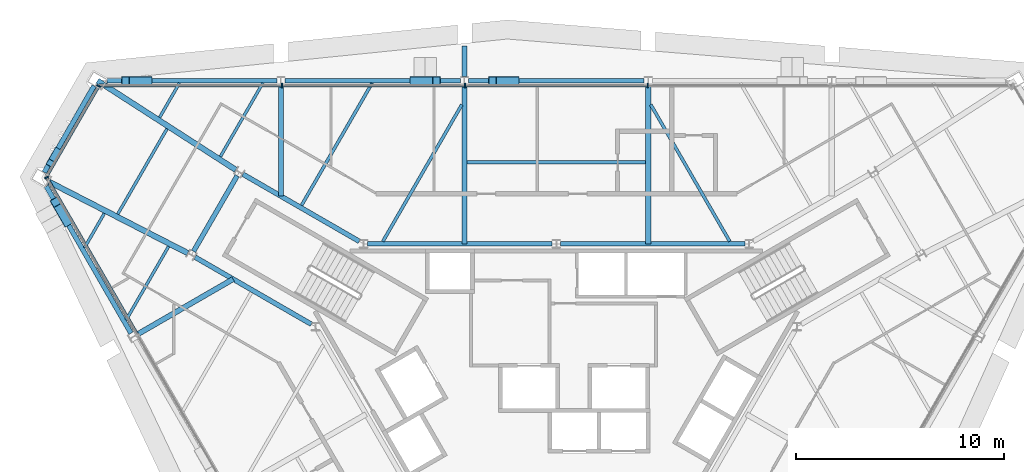
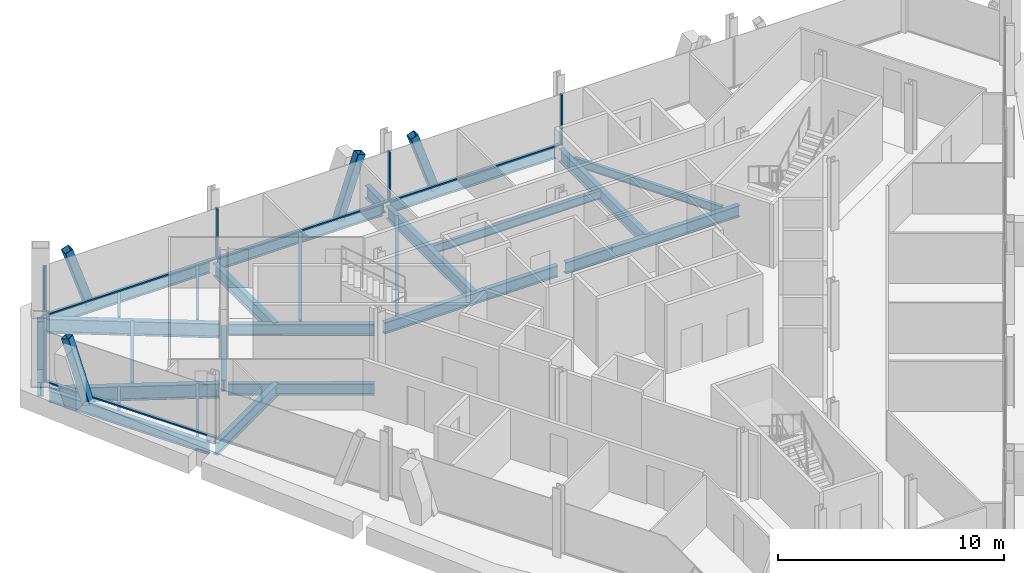
# One storey, part 6 of 14: 26 beams, 15 members, 3 elements without a shape of their own.
"""IFC4 building model written with IfcOpenShell, lengths in metres."""

from ifc_helpers import new_model, si_unit, direction, frame, origin, origin_2d, place, context, subcontext, project, spatial, rectangle, hollow_rectangle, i_section, extrude, material, material_profile, profile_set, type_object, element, aggregate, save


model = new_model("IFC4")

# Units and contexts
model_context = context("Model", 3, precision=1e-05, world=origin(), true_north=direction((0.0, 1.0)))
body_context = subcontext(model_context, "Body", "Model", "MODEL_VIEW")
ifc_project = project(units=[si_unit("LENGTHUNIT", "METRE"), si_unit("AREAUNIT", "SQUARE_METRE"), si_unit("VOLUMEUNIT", "CUBIC_METRE"), si_unit("PLANEANGLEUNIT", "RADIAN"), si_unit("MASSUNIT", "GRAM", prefix="KILO")], contexts=[model_context])

# Site, building, storey
site_placement = place(None, origin())
site = spatial("IfcSite", under=ifc_project, at=site_placement, CompositionType="ELEMENT")
building_placement = place(site_placement, origin())
building = spatial("IfcBuilding", under=site, at=building_placement, Name="Verrane Prism Tower", CompositionType="ELEMENT")
storey_placement = place(building_placement, frame((0.0, 0.0, 224.89990234375)))
storey = spatial("IfcBuildingStorey", under=building, at=storey_placement, Name="L56", CompositionType="ELEMENT", Elevation=224.89990234375)

# Member
ifc_material_1 = material(Name="Steel A500 Grade C", Category="steel")
ifc_material_profile_1 = material_profile(ifc_material_1, hollow_rectangle(XDim=0.3046875, YDim=0.3046875, WallThickness=0.0126953125, InnerFilletRadius=0.00634765625, OuterFilletRadius=0.01904296875, at=origin_2d()), Name="HSS12x12x1/2")
ifc_profile_set_1 = profile_set([ifc_material_profile_1], Name="Steel A500 Grade C")
member_type_1 = type_object("IfcMemberType", Name="Chamfer brace HSS12x12x1/2", PredefinedType="BRACE", material=ifc_profile_set_1)
member_1_placement = place(storey_placement, frame((-23.982177734375, 12.44091796875, -0.242431640625), z_axis=(-0.101664317764, -0.176489870854, 0.979038146335), x_axis=(0.866518541791, -0.499144885511, 0.0)))
element("IfcMember", 1, at=member_1_placement, inside=storey, type_object=member_type_1, Name="Chamfer brace NW0 L56", PredefinedType="BRACE", context=body_context, shape_type="SweptSolid", body=[
    extrude(hollow_rectangle(XDim=0.3046875, YDim=0.3046875, WallThickness=0.0126953125, InnerFilletRadius=0.00634765625, OuterFilletRadius=0.01904296875, at=origin_2d()), origin(), (0.0, 0.0, 1.0), 3.1748046875),
])

# Beams
ifc_material_2 = material(Name="Steel A992", Category="steel")
ifc_material_profile_2 = material_profile(ifc_material_2, i_section(OverallWidth=0.2666015625, OverallDepth=0.7568359375, WebThickness=0.013916015625, FlangeThickness=0.019287109375, FilletRadius=0.0166015625, at=origin_2d()), Name="W30x108")
ifc_profile_set_2 = profile_set([ifc_material_profile_2], Name="Steel A992")
beam_type_1 = type_object("IfcBeamType", Name="Chamfer spandrel beam W30x108", PredefinedType="SPANDREL", material=ifc_profile_set_2)
beam_1_placement = place(storey_placement, frame((-22.1796875, 15.570068359375, -0.538330078125), z_axis=(-0.499144251771, -0.866518906848, 0.0), x_axis=(0.866518906848, -0.499144251771, 0.0)))
element("IfcBeam", 2, at=beam_1_placement, inside=storey, type_object=beam_type_1, Name="Chamfer spandrel beam L56", PredefinedType="SPANDREL", context=body_context, shape_type="SweptSolid", body=[
    extrude(i_section(OverallWidth=0.2666015625, OverallDepth=0.7568359375, WebThickness=0.013916015625, FlangeThickness=0.019287109375, FilletRadius=0.0166015625, at=origin_2d()), origin(), (0.0, 0.0, 1.0), 4.78955078125),
])
ifc_material_3 = material(Name="Steel A992", Category="steel")
ifc_material_profile_3 = material_profile(ifc_material_3, i_section(OverallWidth=0.23046875, OverallDepth=0.6171875, WebThickness=0.01318359375, FlangeThickness=0.022216796875, FilletRadius=0.012939453125, at=origin_2d()), Name="W24x94")
ifc_profile_set_3 = profile_set([ifc_material_profile_3], Name="Steel A992")
beam_type_2 = type_object("IfcBeamType", Name="Core ring girder W24x94", PredefinedType="BEAM", material=ifc_profile_set_3)
for number, where, z_axis, x_axis, name in (
    (3, (9.060546875, 8.0, -0.55859375), (-1.0, 0.0, 0.0), (0.0, -1.0, 0.0), "Core ring girder L56"),
    (4, (-0.199462890625, 8.0, -0.55859375), (-1.0, 0.0, 0.0), (0.0, -1.0, 0.0), "Core ring girder L56"),
):
    element("IfcBeam", number, at=place(storey_placement, frame(where, z_axis=z_axis, x_axis=x_axis)), inside=storey, type_object=beam_type_2, Name=name, PredefinedType="BEAM", context=body_context, shape_type="SweptSolid", body=[
        extrude(i_section(OverallWidth=0.23046875, OverallDepth=0.6171875, WebThickness=0.01318359375, FlangeThickness=0.022216796875, FilletRadius=0.012939453125, at=origin_2d()), origin(), (0.0, 0.0, 1.0), 8.861083984375),
    ])
beam_2_placement = place(storey_placement, frame((-9.45947265625, 8.114990234375, -0.55859375), z_axis=(-0.866080992722, 0.499903704773, 0.0), x_axis=(-0.499903704773, -0.866080992722, 0.0)))
element("IfcBeam", 5, at=beam_2_placement, inside=storey, type_object=beam_type_2, Name="Core ring girder L56", PredefinedType="BEAM", context=body_context, shape_type="SweptSolid", body=[
    extrude(i_section(OverallWidth=0.23046875, OverallDepth=0.6171875, WebThickness=0.01318359375, FlangeThickness=0.022216796875, FilletRadius=0.012939453125, at=origin_2d()), origin(), (0.0, 0.0, 1.0), 6.451904296875),
])
beam_3_placement = place(storey_placement, frame((-15.3203125, 11.266357421875, -0.55859375), z_axis=(-0.500375511519, -0.865808493532, 0.0), x_axis=(0.865808493532, -0.500375511519, 0.0)))
element("IfcBeam", 6, at=beam_3_placement, inside=storey, type_object=beam_type_2, Name="Core ring girder L56", PredefinedType="BEAM", context=body_context, shape_type="SweptSolid", body=[
    extrude(i_section(OverallWidth=0.23046875, OverallDepth=0.6171875, WebThickness=0.01318359375, FlangeThickness=0.022216796875, FilletRadius=0.012939453125, at=origin_2d()), origin(), (0.0, 0.0, 1.0), 4.195556640625),
])
beam_4_placement = place(storey_placement, frame((-17.347412109375, 7.3603515625, -0.55859375), z_axis=(0.866080992722, -0.499903704773, 0.0), x_axis=(0.499903704773, 0.866080992722, 0.0)))
element("IfcBeam", 7, at=beam_4_placement, inside=storey, type_object=beam_type_2, Name="Core ring girder L56", PredefinedType="BEAM", context=body_context, shape_type="SweptSolid", body=[
    extrude(i_section(OverallWidth=0.23046875, OverallDepth=0.6171875, WebThickness=0.01318359375, FlangeThickness=0.022216796875, FilletRadius=0.012939453125, at=origin_2d()), origin(), (0.0, 0.0, 1.0), 6.451904296875),
])
ifc_material_4 = material(Name="Steel A992", Category="steel")
ifc_material_profile_4 = material_profile(ifc_material_4, i_section(OverallWidth=0.2666015625, OverallDepth=0.76708984375, WebThickness=0.014892578125, FlangeThickness=0.023681640625, FilletRadius=0.0166015625, at=origin_2d()), Name="W30x124")
ifc_profile_set_4 = profile_set([ifc_material_profile_4], Name="Steel A992")
beam_type_3 = type_object("IfcBeamType", Name="Corner girder W30x124", PredefinedType="BEAM", material=ifc_profile_set_4)
beam_5_placement = place(storey_placement, frame((-22.02880859375, 15.8291015625, -0.603515625), z_axis=(0.840503183153, -0.541806606742, 0.0), x_axis=(0.541806606742, 0.840503183153, 0.0)))
element("IfcBeam", 8, at=beam_5_placement, inside=storey, type_object=beam_type_3, Name="Corner girder L56", PredefinedType="BEAM", context=body_context, shape_type="SweptSolid", body=[
    extrude(i_section(OverallWidth=0.2666015625, OverallDepth=0.76708984375, WebThickness=0.014892578125, FlangeThickness=0.023681640625, FilletRadius=0.0166015625, at=origin_2d()), origin(), (0.0, 0.0, 1.0), 7.9013671875),
])
beam_6_placement = place(storey_placement, frame((-24.36376953125, 10.97705078125, -0.603515625), z_axis=(0.889427813273, -0.457075666576, 0.0), x_axis=(0.457075666576, 0.889427813273, 0.0)))
element("IfcBeam", 9, at=beam_6_placement, inside=storey, type_object=beam_type_3, Name="Corner girder L56", PredefinedType="BEAM", context=body_context, shape_type="SweptSolid", body=[
    extrude(i_section(OverallWidth=0.2666015625, OverallDepth=0.76708984375, WebThickness=0.014892578125, FlangeThickness=0.023681640625, FilletRadius=0.0166015625, at=origin_2d()), origin(), (0.0, 0.0, 1.0), 7.4951171875),
])

# Members
ifc_material_5 = material(Name="Steel A500 Grade C", Category="steel")
ifc_material_profile_5 = material_profile(ifc_material_5, hollow_rectangle(XDim=0.406494140625, YDim=0.406494140625, WallThickness=0.01904296875, InnerFilletRadius=0.009521484375, OuterFilletRadius=0.028564453125, at=origin_2d()), Name="HSS16x16x3/4")
ifc_profile_set_5 = profile_set([ifc_material_profile_5], Name="Steel A500 Grade C")
member_type_2 = type_object("IfcMemberType", Name="Facade brace HSS16x16x3/4", PredefinedType="BRACE", material=ifc_profile_set_5)
member_2_placement = place(storey_placement, frame((-1.975830078125, 15.830078125, -0.216552734375), z_axis=(-0.322360307942, 0.0, 0.946617046045), x_axis=(0.0, -1.0, 0.0)))
element("IfcMember", 10, at=member_2_placement, inside=storey, type_object=member_type_2, Name="Facade brace N2 L56", PredefinedType="BRACE", context=body_context, shape_type="SweptSolid", body=[
    extrude(hollow_rectangle(XDim=0.406494140625, YDim=0.406494140625, WallThickness=0.01904296875, InnerFilletRadius=0.009521484375, OuterFilletRadius=0.028564453125, at=origin_2d()), origin(), (0.0, 0.0, 1.0), 3.376220703125),
])
for number, where, z_axis, x_axis, name in (
    (11, (-6.841552734375, 15.830078125, -0.216552734375), (0.322036269863, 0.0, 0.946727331861), (0.0, 1.0, 0.0), "Facade brace N3 L56"),
    (12, (-19.598388671875, 15.830078125, -0.216552734375), (-0.322101086538, 0.0, 0.946705281516), (0.0, -1.0, 0.0), "Facade brace N4 L56"),
):
    element("IfcMember", number, at=place(storey_placement, frame(where, z_axis=z_axis, x_axis=x_axis)), inside=storey, type_object=member_type_2, Name=name, PredefinedType="BRACE", context=body_context, shape_type="SweptSolid", body=[
        extrude(hollow_rectangle(XDim=0.406494140625, YDim=0.406494140625, WallThickness=0.01904296875, InnerFilletRadius=0.009521484375, OuterFilletRadius=0.028564453125, at=origin_2d()), origin(), (0.0, 0.0, 1.0), 3.3759765625),
    ])
member_3_placement = place(storey_placement, frame((-23.505615234375, 9.05419921875, -0.216552734375), z_axis=(-0.160840106814, 0.278938980208, 0.946743632332), x_axis=(-0.866301479864, -0.499521517039, 0.0)))
element("IfcMember", 13, at=member_3_placement, inside=storey, type_object=member_type_2, Name="Facade brace SW0 L56", PredefinedType="BRACE", context=body_context, shape_type="SweptSolid", body=[
    extrude(hollow_rectangle(XDim=0.406494140625, YDim=0.406494140625, WallThickness=0.01904296875, InnerFilletRadius=0.009521484375, OuterFilletRadius=0.028564453125, at=origin_2d()), origin(), (0.0, 0.0, 1.0), 3.375732421875),
])

# Beams
ifc_material_6 = material(Name="Steel A992", Category="steel")
ifc_material_profile_6 = material_profile(ifc_material_6, i_section(OverallWidth=0.140380859375, OverallDepth=0.40380859375, WebThickness=0.007080078125, FlangeThickness=0.01123046875, FilletRadius=0.01025390625, at=origin_2d()), Name="W16x31")
ifc_profile_set_6 = profile_set([ifc_material_profile_6], Name="Steel A992")
beam_type_4 = type_object("IfcBeamType", Name="Floor beam W16x31", PredefinedType="BEAM", material=ifc_profile_set_6)
beam_7_placement = place(storey_placement, frame((-16.12890625, 12.184814453125, -0.36181640625), z_axis=(0.499978218965, 0.866037978706, 0.0), x_axis=(-0.866037978706, 0.499978218965, 0.0)))
element("IfcBeam", 14, at=beam_7_placement, inside=storey, type_object=beam_type_4, Name="Floor beam L56", PredefinedType="BEAM", context=body_context, shape_type="SweptSolid", body=[
    extrude(i_section(OverallWidth=0.140380859375, OverallDepth=0.40380859375, WebThickness=0.007080078125, FlangeThickness=0.01123046875, FilletRadius=0.01025390625, at=origin_2d()), origin(), (0.0, 0.0, 1.0), 4.076416015625),
])
beam_8_placement = place(storey_placement, frame((-19.0458984375, 14.065185546875, -0.36181640625), z_axis=(0.499929534118, 0.866066083458, 0.0), x_axis=(-0.866066083458, 0.499929534118, 0.0)))
element("IfcBeam", 15, at=beam_8_placement, inside=storey, type_object=beam_type_4, Name="Floor beam L56", PredefinedType="BEAM", context=body_context, shape_type="SweptSolid", body=[
    extrude(i_section(OverallWidth=0.140380859375, OverallDepth=0.40380859375, WebThickness=0.007080078125, FlangeThickness=0.01123046875, FilletRadius=0.01025390625, at=origin_2d()), origin(), (0.0, 0.0, 1.0), 1.905029296875),
])
beam_9_placement = place(storey_placement, frame((-20.654052734375, 4.33935546875, -0.36181640625), z_axis=(0.500007372378, 0.866021147298, 0.0), x_axis=(-0.866021147298, 0.500007372378, 0.0)))
element("IfcBeam", 16, at=beam_9_placement, inside=storey, type_object=beam_type_4, Name="Floor beam L56", PredefinedType="BEAM", context=body_context, shape_type="SweptSolid", body=[
    extrude(i_section(OverallWidth=0.140380859375, OverallDepth=0.40380859375, WebThickness=0.007080078125, FlangeThickness=0.01123046875, FilletRadius=0.01025390625, at=origin_2d()), origin(), (0.0, 0.0, 1.0), 4.07958984375),
])
beam_10_placement = place(storey_placement, frame((-22.65380859375, 7.80712890625, -0.36181640625), z_axis=(0.500036506332, 0.866004325818, 0.0), x_axis=(-0.866004325818, 0.500036506332, 0.0)))
element("IfcBeam", 17, at=beam_10_placement, inside=storey, type_object=beam_type_4, Name="Floor beam L56", PredefinedType="BEAM", context=body_context, shape_type="SweptSolid", body=[
    extrude(i_section(OverallWidth=0.140380859375, OverallDepth=0.40380859375, WebThickness=0.007080078125, FlangeThickness=0.01123046875, FilletRadius=0.01025390625, at=origin_2d()), origin(), (0.0, 0.0, 1.0), 1.906494140625),
])
beam_11_placement = place(storey_placement, frame((-21.0546875, 9.426513671875, -0.36181640625), z_axis=(0.499972881236, 0.866041060244, 0.0), x_axis=(-0.866041060244, 0.499972881236, 0.0)))
element("IfcBeam", 18, at=beam_11_placement, inside=storey, type_object=beam_type_4, Name="Floor beam L56", PredefinedType="BEAM", context=body_context, shape_type="SweptSolid", body=[
    extrude(i_section(OverallWidth=0.140380859375, OverallDepth=0.40380859375, WebThickness=0.007080078125, FlangeThickness=0.01123046875, FilletRadius=0.01025390625, at=origin_2d()), origin(), (0.0, 0.0, 1.0), 4.725830078125),
])
ifc_material_7 = material(Name="Steel A992", Category="steel")
ifc_material_profile_7 = material_profile(ifc_material_7, i_section(OverallWidth=0.15234375, OverallDepth=0.449462890625, WebThickness=0.007568359375, FlangeThickness=0.0107421875, FilletRadius=0.01025390625, at=origin_2d()), Name="W18x35")
ifc_profile_set_7 = profile_set([ifc_material_profile_7], Name="Steel A992")
beam_type_5 = type_object("IfcBeamType", Name="Floor beam W18x35", PredefinedType="BEAM", material=ifc_profile_set_7)
beam_12_placement = place(storey_placement, frame((8.3251953125, 8.114990234375, -0.384765625), z_axis=(-0.499979074716, 0.866037484666, 0.0), x_axis=(-0.866037484666, -0.499979074716, 0.0)))
element("IfcBeam", 19, at=beam_12_placement, inside=storey, type_object=beam_type_5, Name="Floor beam L56", PredefinedType="BEAM", context=body_context, shape_type="SweptSolid", body=[
    extrude(i_section(OverallWidth=0.15234375, OverallDepth=0.449462890625, WebThickness=0.007568359375, FlangeThickness=0.0107421875, FilletRadius=0.01025390625, at=origin_2d()), origin(), (0.0, 0.0, 1.0), 7.576416015625),
])
beam_13_placement = place(storey_placement, frame((-4.282958984375, 11.9150390625, -0.384765625), z_axis=(1.0, 0.0, 0.0), x_axis=(0.0, 1.0, 0.0)))
element("IfcBeam", 20, at=beam_13_placement, inside=storey, type_object=beam_type_5, Name="Floor beam L56", PredefinedType="BEAM", context=body_context, shape_type="SweptSolid", body=[
    extrude(i_section(OverallWidth=0.15234375, OverallDepth=0.449462890625, WebThickness=0.007568359375, FlangeThickness=0.0107421875, FilletRadius=0.01025390625, at=origin_2d()), origin(), (0.0, 0.0, 1.0), 8.56591796875),
])
beam_14_placement = place(storey_placement, frame((-8.3251953125, 8.114990234375, -0.384765625), z_axis=(0.499979074716, 0.866037484666, 0.0), x_axis=(-0.866037484666, 0.499979074716, 0.0)))
element("IfcBeam", 21, at=beam_14_placement, inside=storey, type_object=beam_type_5, Name="Floor beam L56", PredefinedType="BEAM", context=body_context, shape_type="SweptSolid", body=[
    extrude(i_section(OverallWidth=0.15234375, OverallDepth=0.449462890625, WebThickness=0.007568359375, FlangeThickness=0.0107421875, FilletRadius=0.01025390625, at=origin_2d()), origin(), (0.0, 0.0, 1.0), 7.576416015625),
])
beam_15_placement = place(storey_placement, frame((-12.22900390625, 9.849853515625, -0.384765625), z_axis=(0.499992893009, 0.866029506969, 0.0), x_axis=(-0.866029506969, 0.499992893009, 0.0)))
element("IfcBeam", 22, at=beam_15_placement, inside=storey, type_object=beam_type_5, Name="Floor beam L56", PredefinedType="BEAM", context=body_context, shape_type="SweptSolid", body=[
    extrude(i_section(OverallWidth=0.15234375, OverallDepth=0.449462890625, WebThickness=0.007568359375, FlangeThickness=0.0107421875, FilletRadius=0.01025390625, at=origin_2d()), origin(), (0.0, 0.0, 1.0), 6.7724609375),
])

# Curtain wall, members
ifc_material_8 = material(Name="Aluminium framed insulated glazing", Category="aluminium")
curtain_wall_type = type_object("IfcCurtainWallType", Name="Curtain wall CW-A 8400 module", PredefinedType="NOTDEFINED", material=ifc_material_8)
curtain_wall_1_placement = place(storey_placement, origin())
curtain_wall_1 = element("IfcCurtainWall", 23, at=curtain_wall_1_placement, inside=storey, type_object=curtain_wall_type, Name="Glazed curtain wall north face L56", PredefinedType="NOTDEFINED")
ifc_material_9 = material(Name="Aluminium alloy 6063-T6", Category="aluminium")
ifc_material_profile_8 = material_profile(ifc_material_9, rectangle(XDim=0.199951171875, YDim=0.070068359375, at=origin_2d()), Name="Mullion 70x200 aluminium")
ifc_profile_set_8 = profile_set([ifc_material_profile_8], Name="Aluminium alloy 6063-T6")
member_type_3 = type_object("IfcMemberType", Name="Mullion 70x200 aluminium", PredefinedType="MULLION", material=ifc_profile_set_8)
member_4_placement = place(storey_placement, frame((4.39111328125, 15.601806640625, 0.0), z_axis=(0.0, 0.0, 1.0), x_axis=(0.0, -1.0, 0.0)))
member_4 = element("IfcMember", 24, at=member_4_placement, type_object=member_type_3, Name="CW54.2 mullion 3", PredefinedType="MULLION", context=body_context, shape_type="SweptSolid", body=[
    extrude(rectangle(XDim=0.199951171875, YDim=0.070068359375, at=origin_2d()), origin(), (0.0, 0.0, 1.0), 2.712890625),
])
member_5_placement = place(storey_placement, frame((-4.39111328125, 15.601806640625, 0.0), z_axis=(0.0, 0.0, 1.0), x_axis=(0.0, -1.0, 0.0)))
member_5 = element("IfcMember", 25, at=member_5_placement, type_object=member_type_3, Name="CW54.2 mullion 4", PredefinedType="MULLION", context=body_context, shape_type="SweptSolid", body=[
    extrude(rectangle(XDim=0.199951171875, YDim=0.070068359375, at=origin_2d()), origin(), (0.0, 0.0, 1.0), 2.712890625),
])
member_6_placement = place(storey_placement, frame((-13.173095703125, 15.601806640625, 0.0), z_axis=(0.0, 0.0, 1.0), x_axis=(0.0, -1.0, 0.0)))
member_6 = element("IfcMember", 26, at=member_6_placement, type_object=member_type_3, Name="CW54.2 mullion 5", PredefinedType="MULLION", context=body_context, shape_type="SweptSolid", body=[
    extrude(rectangle(XDim=0.199951171875, YDim=0.070068359375, at=origin_2d()), origin(), (0.0, 0.0, 1.0), 2.712890625),
])

# Curtain wall, member
curtain_wall_2_placement = place(storey_placement, origin())
curtain_wall_2 = element("IfcCurtainWall", 27, at=curtain_wall_2_placement, inside=storey, type_object=curtain_wall_type, Name="Glazed curtain wall north-west corner L56", PredefinedType="NOTDEFINED")
member_7_placement = place(storey_placement, frame((-21.972900390625, 15.571533203125, 0.0), z_axis=(0.0, 0.0, 1.0), x_axis=(0.866028188915, -0.499995175981, 0.0)))
member_7 = element("IfcMember", 28, at=member_7_placement, type_object=member_type_3, Name="CW54.3 mullion 1", PredefinedType="MULLION", context=body_context, shape_type="SweptSolid", body=[
    extrude(rectangle(XDim=0.199951171875, YDim=0.070068359375, at=origin_2d()), origin(), (0.0, 0.0, 1.0), 2.712890625),
])

curtain_wall_3_placement = place(storey_placement, origin())
curtain_wall_3 = element("IfcCurtainWall", 29, at=curtain_wall_3_placement, inside=storey, type_object=curtain_wall_type, Name="Glazed curtain wall south-west face L56", PredefinedType="NOTDEFINED")
member_8_placement = place(storey_placement, frame((-24.4716796875, 11.1826171875, 0.0), z_axis=(0.0, 0.0, 1.0), x_axis=(0.866024862365, 0.500000937764, 0.0)))
member_8 = element("IfcMember", 30, at=member_8_placement, type_object=member_type_3, Name="CW54.4 mullion 1", PredefinedType="MULLION", context=body_context, shape_type="SweptSolid", body=[
    extrude(rectangle(XDim=0.199951171875, YDim=0.070068359375, at=origin_2d()), origin(), (0.0, 0.0, 1.0), 2.712890625),
])

# Beams
ifc_material_10 = material(Name="Steel A992", Category="steel")
ifc_material_profile_9 = material_profile(ifc_material_10, i_section(OverallWidth=0.25390625, OverallDepth=0.683349609375, WebThickness=0.012451171875, FlangeThickness=0.01904296875, FilletRadius=0.01513671875, at=origin_2d()), Name="W27x94")
ifc_profile_set_9 = profile_set([ifc_material_profile_9], Name="Steel A992")
beam_type_6 = type_object("IfcBeamType", Name="Radial girder W27x94", PredefinedType="BEAM", material=ifc_profile_set_9)
for number, where, z_axis, x_axis, name in (
    (31, (4.409912109375, 15.630615234375, -0.5615234375), (0.0, -1.0, 0.0), (1.0, 0.0, 0.0), "Radial girder L56"),
    (32, (-4.409912109375, 15.630615234375, -0.5615234375), (0.0, -1.0, 0.0), (1.0, 0.0, 0.0), "Radial girder L56"),
):
    element("IfcBeam", number, at=place(storey_placement, frame(where, z_axis=z_axis, x_axis=x_axis)), inside=storey, type_object=beam_type_6, Name=name, PredefinedType="BEAM", context=body_context, shape_type="SweptSolid", body=[
        extrude(i_section(OverallWidth=0.25390625, OverallDepth=0.683349609375, WebThickness=0.012451171875, FlangeThickness=0.01904296875, FilletRadius=0.01513671875, at=origin_2d()), origin(), (0.0, 0.0, 1.0), 7.630615234375),
    ])
beam_16_placement = place(storey_placement, frame((-13.219970703125, 15.630615234375, -0.5615234375), z_axis=(0.0, -1.0, 0.0), x_axis=(1.0, 0.0, 0.0)))
element("IfcBeam", 33, at=beam_16_placement, inside=storey, type_object=beam_type_6, Name="Radial girder L56", PredefinedType="BEAM", context=body_context, shape_type="SweptSolid", body=[
    extrude(i_section(OverallWidth=0.25390625, OverallDepth=0.683349609375, WebThickness=0.012451171875, FlangeThickness=0.01904296875, FilletRadius=0.01513671875, at=origin_2d()), origin(), (0.0, 0.0, 1.0), 5.344970703125),
])
beam_17_placement = place(storey_placement, frame((-20.147216796875, 3.629638671875, -0.5615234375), z_axis=(0.866020604947, 0.500008311739, 0.0), x_axis=(-0.500008311739, 0.866020604947, 0.0)))
element("IfcBeam", 34, at=beam_17_placement, inside=storey, type_object=beam_type_6, Name="Radial girder L56", PredefinedType="BEAM", context=body_context, shape_type="SweptSolid", body=[
    extrude(i_section(OverallWidth=0.25390625, OverallDepth=0.683349609375, WebThickness=0.012451171875, FlangeThickness=0.01904296875, FilletRadius=0.01513671875, at=origin_2d()), origin(), (0.0, 0.0, 1.0), 5.34765625),
])
beam_18_placement = place(storey_placement, frame((-4.409912109375, 16.025390625, -0.5615234375), z_axis=(0.0, 1.0, 0.0), x_axis=(-1.0, 0.0, 0.0)))
element("IfcBeam", 35, at=beam_18_placement, inside=storey, type_object=beam_type_6, Name="Cantilever girder L56", PredefinedType="BEAM", context=body_context, shape_type="SweptSolid", body=[
    extrude(i_section(OverallWidth=0.25390625, OverallDepth=0.683349609375, WebThickness=0.012451171875, FlangeThickness=0.01904296875, FilletRadius=0.01513671875, at=origin_2d()), origin(), (0.0, 0.0, 1.0), 1.4599609375),
])
ifc_material_11 = material(Name="Steel A992", Category="steel")
ifc_material_profile_10 = material_profile(ifc_material_11, i_section(OverallWidth=0.23046875, OverallDepth=0.6171875, WebThickness=0.01318359375, FlangeThickness=0.022216796875, FilletRadius=0.012939453125, at=origin_2d()), Name="W24x94")
ifc_profile_set_10 = profile_set([ifc_material_profile_10], Name="Steel A992")
beam_type_7 = type_object("IfcBeamType", Name="Spandrel beam W24x94", PredefinedType="SPANDREL", material=ifc_profile_set_10)
beam_19_placement = place(storey_placement, frame((4.209228515625, 15.830078125, -0.468505859375), z_axis=(-1.0, 0.0, 0.0), x_axis=(0.0, -1.0, 0.0)))
element("IfcBeam", 36, at=beam_19_placement, inside=storey, type_object=beam_type_7, Name="Spandrel beam L56", PredefinedType="SPANDREL", context=body_context, shape_type="SweptSolid", body=[
    extrude(i_section(OverallWidth=0.23046875, OverallDepth=0.6171875, WebThickness=0.01318359375, FlangeThickness=0.022216796875, FilletRadius=0.012939453125, at=origin_2d()), origin(), (0.0, 0.0, 1.0), 8.41845703125),
])
beam_20_placement = place(storey_placement, frame((-4.610595703125, 15.830078125, -0.468505859375), z_axis=(-1.0, 0.0, 0.0), x_axis=(0.0, -1.0, 0.0)))
element("IfcBeam", 37, at=beam_20_placement, inside=storey, type_object=beam_type_7, Name="Spandrel beam L56", PredefinedType="SPANDREL", context=body_context, shape_type="SweptSolid", body=[
    extrude(i_section(OverallWidth=0.23046875, OverallDepth=0.6171875, WebThickness=0.01318359375, FlangeThickness=0.022216796875, FilletRadius=0.012939453125, at=origin_2d()), origin(), (0.0, 0.0, 1.0), 8.40869140625),
])
beam_21_placement = place(storey_placement, frame((-13.420654296875, 15.830078125, -0.468505859375), z_axis=(-1.0, 0.0, 0.0), x_axis=(0.0, -1.0, 0.0)))
element("IfcBeam", 38, at=beam_21_placement, inside=storey, type_object=beam_type_7, Name="Spandrel beam L56", PredefinedType="SPANDREL", context=body_context, shape_type="SweptSolid", body=[
    extrude(i_section(OverallWidth=0.23046875, OverallDepth=0.6171875, WebThickness=0.01318359375, FlangeThickness=0.022216796875, FilletRadius=0.012939453125, at=origin_2d()), origin(), (0.0, 0.0, 1.0), 8.1474609375),
])
beam_22_placement = place(storey_placement, frame((-24.4892578125, 10.759765625, -0.468505859375), z_axis=(0.499572810058, -0.866271901571, 0.0), x_axis=(0.866271901571, 0.499572810058, 0.0)))
element("IfcBeam", 39, at=beam_22_placement, inside=storey, type_object=beam_type_7, Name="Spandrel beam L56", PredefinedType="SPANDREL", context=body_context, shape_type="SweptSolid", body=[
    extrude(i_section(OverallWidth=0.23046875, OverallDepth=0.6171875, WebThickness=0.01318359375, FlangeThickness=0.022216796875, FilletRadius=0.012939453125, at=origin_2d()), origin(), (0.0, 0.0, 1.0), 8.145263671875),
])

# Member
ifc_material_12 = material(Name="Aluminium alloy 6063-T6", Category="aluminium")
ifc_material_profile_11 = material_profile(ifc_material_12, rectangle(XDim=0.14990234375, YDim=0.070068359375, at=origin_2d()), Name="Transom 70x150 aluminium")
ifc_profile_set_11 = profile_set([ifc_material_profile_11], Name="Aluminium alloy 6063-T6")
member_type_4 = type_object("IfcMemberType", Name="Transom 70x150 aluminium", PredefinedType="USERDEFINED", material=ifc_profile_set_11)
member_9_placement = place(storey_placement, frame((4.35595703125, 15.601806640625, 0.03515625), z_axis=(-1.0, 0.0, 0.0), x_axis=(0.0, -1.0, 0.0)))
member_9 = element("IfcMember", 40, at=member_9_placement, type_object=member_type_4, Name="CW54.2 transom 3", ObjectType="TRANSOM", PredefinedType="USERDEFINED", context=body_context, shape_type="SweptSolid", body=[
    extrude(rectangle(XDim=0.14990234375, YDim=0.070068359375, at=origin_2d()), origin(), (0.0, 0.0, 1.0), 8.7119140625),
])

member_10_placement = place(storey_placement, frame((-4.426025390625, 15.601806640625, 0.03515625), z_axis=(-1.0, 0.0, 0.0), x_axis=(0.0, -1.0, 0.0)))
member_10 = element("IfcMember", 41, at=member_10_placement, type_object=member_type_4, Name="CW54.2 transom 4", ObjectType="TRANSOM", PredefinedType="USERDEFINED", context=body_context, shape_type="SweptSolid", body=[
    extrude(rectangle(XDim=0.14990234375, YDim=0.070068359375, at=origin_2d()), origin(), (0.0, 0.0, 1.0), 8.712158203125),
])

member_11_placement = place(storey_placement, frame((-13.208251953125, 15.601806640625, 0.03515625), z_axis=(-1.0, 0.0, 0.0), x_axis=(0.0, -1.0, 0.0)))
member_11 = element("IfcMember", 42, at=member_11_placement, type_object=member_type_4, Name="CW54.2 transom 5", ObjectType="TRANSOM", PredefinedType="USERDEFINED", context=body_context, shape_type="SweptSolid", body=[
    extrude(rectangle(XDim=0.14990234375, YDim=0.070068359375, at=origin_2d()), origin(), (0.0, 0.0, 1.0), 8.7470703125),
])

aggregate(curtain_wall_1, [member_4, member_5, member_6, member_9, member_10, member_11])

member_12_placement = place(storey_placement, frame((-21.990234375, 15.541259765625, 0.03515625), z_axis=(-0.500005754654, -0.866022081308, 0.0), x_axis=(0.866022081308, -0.500005754654, 0.0)))
member_12 = element("IfcMember", 43, at=member_12_placement, type_object=member_type_4, Name="CW54.3 transom 1", ObjectType="TRANSOM", PredefinedType="USERDEFINED", context=body_context, shape_type="SweptSolid", body=[
    extrude(rectangle(XDim=0.14990234375, YDim=0.070068359375, at=origin_2d()), origin(), (0.0, 0.0, 1.0), 4.998046875),
])

aggregate(curtain_wall_2, [member_7, member_12])

member_13_placement = place(storey_placement, frame((-24.4541015625, 11.15234375, 0.03515625), z_axis=(0.499982246889, -0.866035653305, 0.0), x_axis=(0.866035653305, 0.499982246889, 0.0)))
member_13 = element("IfcMember", 44, at=member_13_placement, type_object=member_type_4, Name="CW54.4 transom 1", ObjectType="TRANSOM", PredefinedType="USERDEFINED", context=body_context, shape_type="SweptSolid", body=[
    extrude(rectangle(XDim=0.14990234375, YDim=0.070068359375, at=origin_2d()), origin(), (0.0, 0.0, 1.0), 8.677001953125),
])

aggregate(curtain_wall_3, [member_8, member_13])

save(model, "model.ifc")
